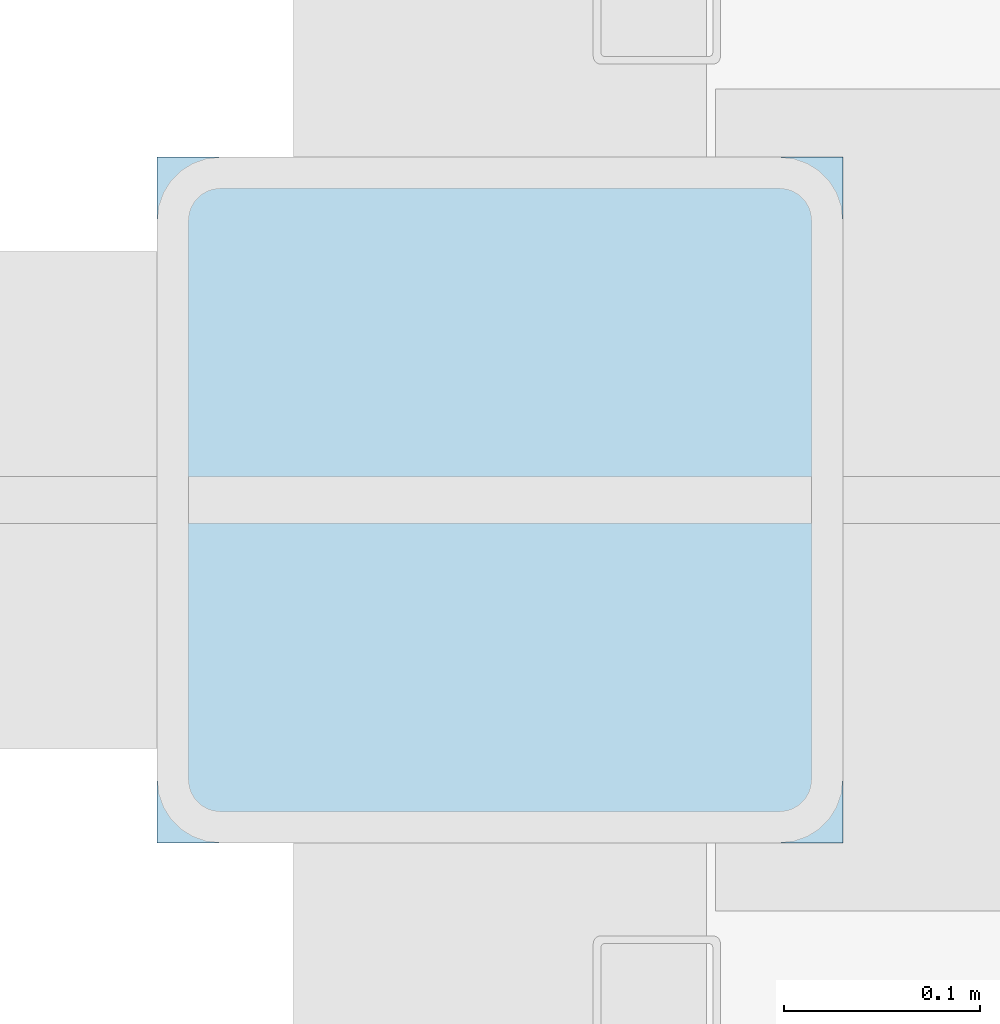
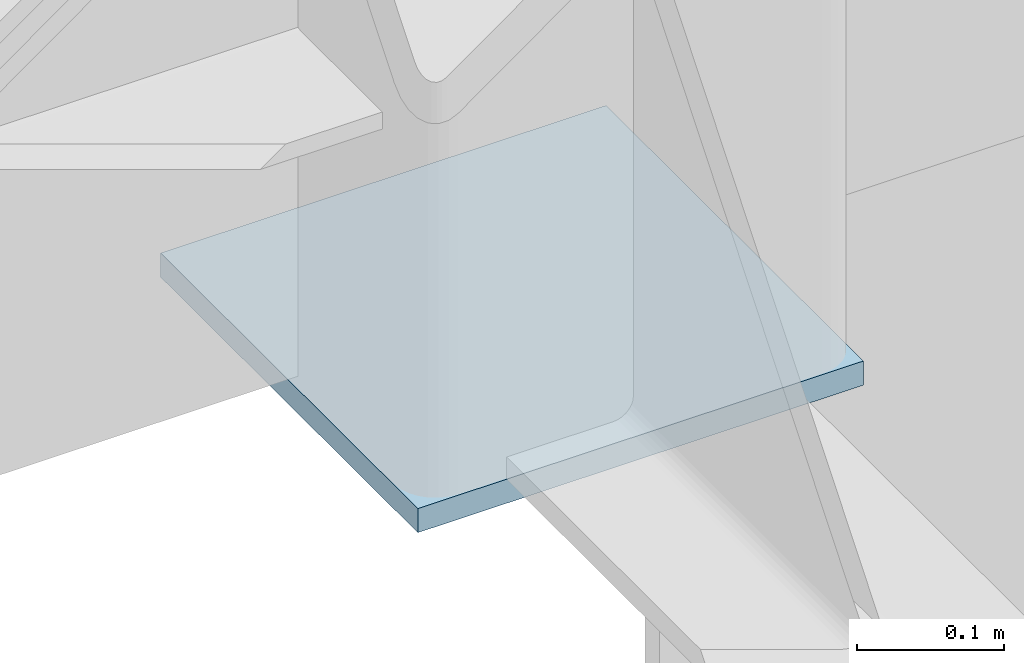
# One storey, part 101 of 130: 1 plate.
"""IFC4 building model written with IfcOpenShell, lengths in metres."""

from ifc_helpers import new_model, si_unit, direction, frame, origin, origin_2d, place, context, subcontext, project, spatial, rectangle, extrude, material, layer, layer_set, type_object, element, save


model = new_model("IFC4")

# Units and contexts
model_context = context("Model", 3, precision=1e-05, world=origin(), true_north=direction((0.0, 1.0)))
body_context = subcontext(model_context, "Body", "Model", "MODEL_VIEW")
ifc_project = project(units=[si_unit("LENGTHUNIT", "METRE"), si_unit("AREAUNIT", "SQUARE_METRE"), si_unit("VOLUMEUNIT", "CUBIC_METRE"), si_unit("PLANEANGLEUNIT", "RADIAN"), si_unit("MASSUNIT", "GRAM", prefix="KILO")], contexts=[model_context])

# Site, building, storey
site_placement = place(None, origin())
site = spatial("IfcSite", under=ifc_project, at=site_placement, CompositionType="ELEMENT")
building_placement = place(site_placement, origin())
building = spatial("IfcBuilding", under=site, at=building_placement, Name="Miravela Opera House", CompositionType="ELEMENT")
storey_placement = place(building_placement, frame((0.0, 0.0, 9.52001953125)))
storey = spatial("IfcBuildingStorey", under=building, at=storey_placement, Name="L02", CompositionType="ELEMENT", Elevation=9.52001953125)

# Plate
ifc_material = material(Name="Structural steel ASTM A572 Gr. 50", Category="steel")
ifc_layer = layer(ifc_material, 0.02001953125)
ifc_layer_set = layer_set([ifc_layer])
plate_type = type_object("IfcPlateType", Name="STR-PL-CAP-350X350X20", PredefinedType="SHEET", material=ifc_layer_set)
plate_placement = place(storey_placement, frame((15.0, 56.0, -0.819091796875), z_axis=(0.0, 0.0, 1.0), x_axis=(1.0, 0.0, 0.0)))
element("IfcPlate", 1, at=plate_placement, inside=storey, type_object=plate_type, Name="HSS Welded End Cap Plate 022", PredefinedType="SHEET", context=body_context, shape_type="SweptSolid", body=[
    extrude(rectangle(XDim=0.35009765625, YDim=0.35009765625, at=origin_2d()), origin(), (0.0, 0.0, 1.0), 0.02001953125),
])

save(model, "model.ifc")
